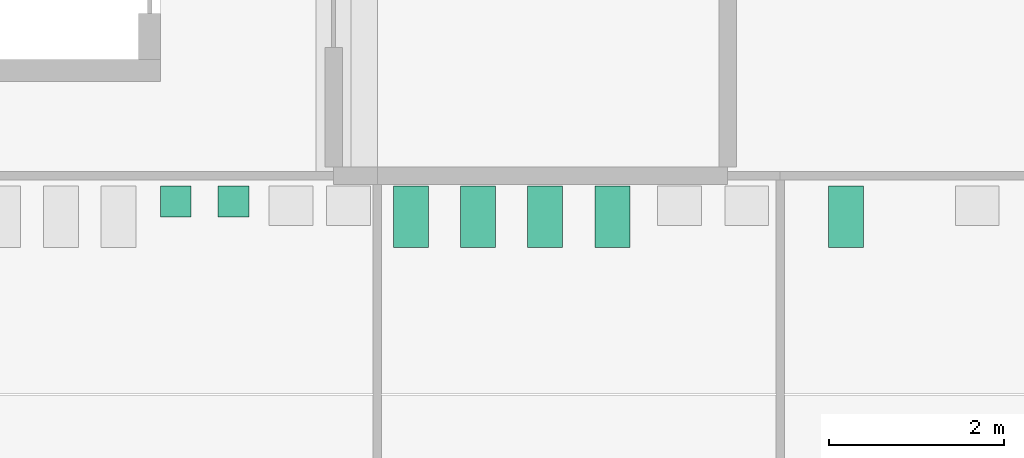
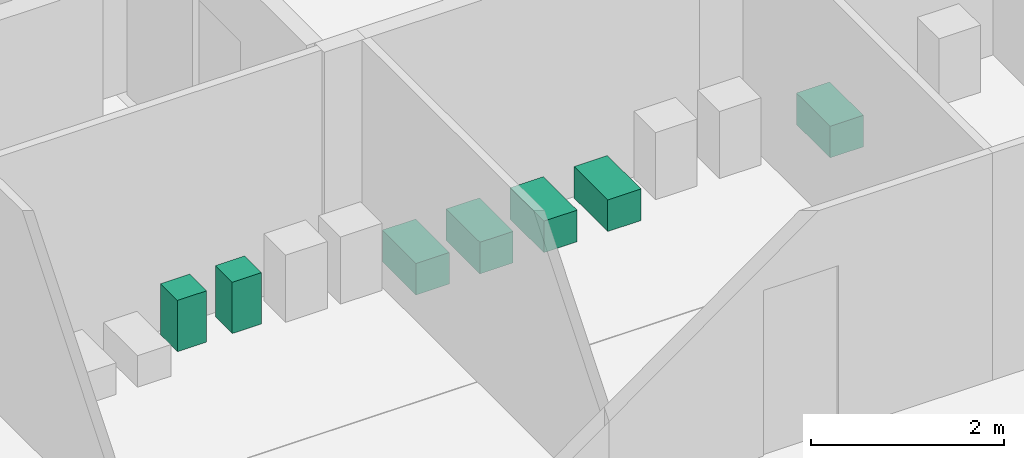
# One storey, part 60 of 61: 7 sanitary terminals.
"""IFC4 building model written with IfcOpenShell, lengths in metres."""

from ifc_helpers import new_model, si_unit, direction, frame, origin, origin_2d, place, context, subcontext, project, spatial, rectangle, extrude, material, type_object, element, save


model = new_model("IFC4")

# Units and contexts
model_context = context("Model", 3, precision=1e-05, world=origin(), true_north=direction((0.0, 1.0)))
body_context = subcontext(model_context, "Body", "Model", "MODEL_VIEW")
ifc_project = project(units=[si_unit("LENGTHUNIT", "METRE"), si_unit("AREAUNIT", "SQUARE_METRE"), si_unit("VOLUMEUNIT", "CUBIC_METRE"), si_unit("PLANEANGLEUNIT", "RADIAN"), si_unit("MASSUNIT", "GRAM", prefix="KILO")], contexts=[model_context])

# Site, building, storey
site_placement = place(None, origin())
site = spatial("IfcSite", under=ifc_project, at=site_placement, CompositionType="ELEMENT")
building_placement = place(site_placement, origin())
building = spatial("IfcBuilding", under=site, at=building_placement, Name="Cour d'Honneur Mobility Palace", CompositionType="ELEMENT")
storey_placement = place(building_placement, frame((0.0, 0.0, 11.89990234375)))
storey = spatial("IfcBuildingStorey", under=building, at=storey_placement, Name="L03", CompositionType="ELEMENT", Elevation=11.89990234375)

# Sanitary terminals
ifc_material_1 = material(Name="Vitreous china")
sanitary_terminal_type_1 = type_object("IfcSanitaryTerminalType", Name="Urinal", PredefinedType="URINAL", material=ifc_material_1)
for number, where, z_axis, x_axis, name in (
    (1, (4.5, 107.10498046875, 0.000244140625), (0.0, 0.0, 1.0), (1.0, 0.0, 0.0), "Urinal WC Men West"),
    (2, (5.156982421875, 107.10498046875, 0.000244140625), (0.0, 0.0, 1.0), (1.0, 0.0, 0.0), "Urinal WC Men West"),
):
    element("IfcSanitaryTerminal", number, at=place(storey_placement, frame(where, z_axis=z_axis, x_axis=x_axis)), inside=storey, type_object=sanitary_terminal_type_1, Name=name, PredefinedType="URINAL", context=body_context, shape_type="SweptSolid", body=[
        extrude(rectangle(XDim=0.35009765625, YDim=0.35009765625, at=origin_2d()), origin(), (0.0, 0.0, 1.0), 0.64990234375),
    ])
ifc_material_2 = material(Name="Vitreous china")
sanitary_terminal_type_2 = type_object("IfcSanitaryTerminalType", Name="Water closet", PredefinedType="WCSEAT", material=ifc_material_2)
for number, where, z_axis, x_axis, name in (
    (3, (7.183349609375, 106.929931640625, 0.000244140625), (0.0, 0.0, 1.0), (1.0, 0.0, 0.0), "Water closet WC Women West"),
    (4, (7.949951171875, 106.929931640625, 0.000244140625), (0.0, 0.0, 1.0), (1.0, 0.0, 0.0), "Water closet WC Women West"),
    (5, (8.716796875, 106.929931640625, 0.000244140625), (0.0, 0.0, 1.0), (1.0, 0.0, 0.0), "Water closet WC Women West"),
    (6, (9.4833984375, 106.929931640625, 0.000244140625), (0.0, 0.0, 1.0), (1.0, 0.0, 0.0), "Water closet WC Women West"),
    (7, (12.14990234375, 106.929931640625, 0.000244140625), (0.0, 0.0, 1.0), (1.0, 0.0, 0.0), "Water closet Accessible WC West"),
):
    element("IfcSanitaryTerminal", number, at=place(storey_placement, frame(where, z_axis=z_axis, x_axis=x_axis)), inside=storey, type_object=sanitary_terminal_type_2, Name=name, PredefinedType="WCSEAT", context=body_context, shape_type="SweptSolid", body=[
        extrude(rectangle(XDim=0.39990234375, YDim=0.699951171875, at=origin_2d()), origin(), (0.0, 0.0, 1.0), 0.39990234375),
    ])

save(model, "model.ifc")
